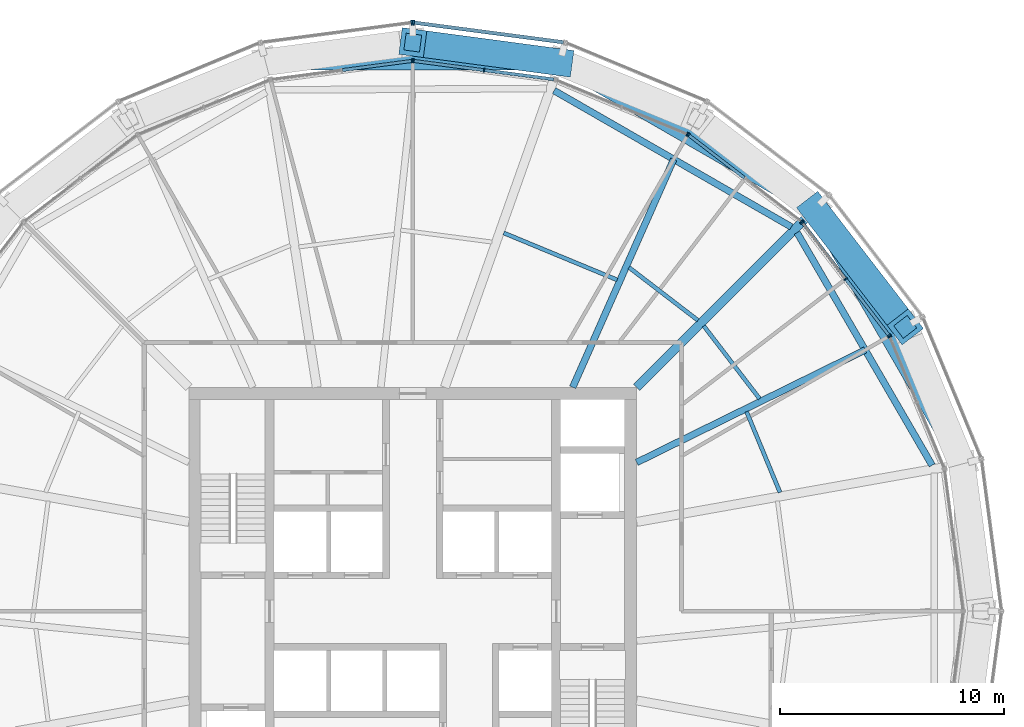
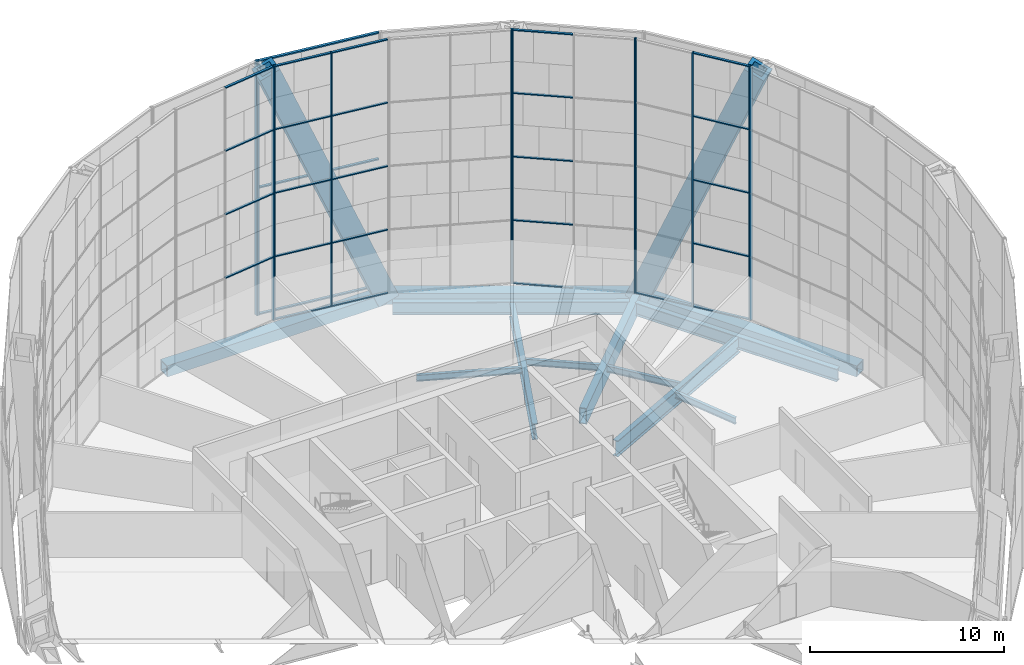
# One storey, part 10 of 30: 42 members, 12 beams, 8 elements without a shape of their own.
"""IFC4 building model written with IfcOpenShell, lengths in metres."""

from ifc_helpers import new_model, si_unit, direction, frame, origin, origin_2d, place, context, subcontext, project, spatial, rectangle, hollow_rectangle, i_section, extrude, material, material_profile, profile_set, type_object, element, aggregate, save


model = new_model("IFC4")

# Units and contexts
model_context = context("Model", 3, precision=1e-05, world=origin(), true_north=direction((0.0, 1.0)))
body_context = subcontext(model_context, "Body", "Model", "MODEL_VIEW")
ifc_project = project(units=[si_unit("LENGTHUNIT", "METRE"), si_unit("AREAUNIT", "SQUARE_METRE"), si_unit("VOLUMEUNIT", "CUBIC_METRE"), si_unit("PLANEANGLEUNIT", "RADIAN"), si_unit("MASSUNIT", "GRAM", prefix="KILO")], contexts=[model_context])

# Site, building, storey
site_placement = place(None, origin())
site = spatial("IfcSite", under=ifc_project, at=site_placement, CompositionType="ELEMENT")
building_placement = place(site_placement, origin())
building = spatial("IfcBuilding", under=site, at=building_placement, Name="Golbaran Civic Tower", CompositionType="ELEMENT")
storey_placement = place(building_placement, frame((0.0, 0.0, 102.0)))
storey = spatial("IfcBuildingStorey", under=building, at=storey_placement, Name="L24", CompositionType="ELEMENT", Elevation=102.0)

# Members
ifc_material_1 = material(Name="Steel S355", Category="steel")
ifc_material_profile_1 = material_profile(ifc_material_1, hollow_rectangle(XDim=1.199951171875, YDim=1.199951171875, WallThickness=0.219970703125, at=origin_2d()), Name="BOX 1200x1200x220")
ifc_profile_set_1 = profile_set([ifc_material_profile_1], Name="Steel S355")
member_type_1 = type_object("IfcMemberType", Name="DIAGRID DIAGONAL BOX 1200x1200x220", PredefinedType="BRACE", material=ifc_profile_set_1)
member_1_placement = place(storey_placement, frame((17.947021484375, 17.947021484375, -0.7099609375), z_axis=(0.233507991668, -0.303176942092, 0.923881897003), x_axis=(0.792251346595, 0.61019489003, 0.0)))
element("IfcMember", 1, at=member_1_placement, inside=storey, type_object=member_type_1, Name="Diagonal D05-01L L24-L28", PredefinedType="BRACE", context=body_context, shape_type="SweptSolid", body=[
    extrude(hollow_rectangle(XDim=1.199951171875, YDim=1.199951171875, WallThickness=0.219970703125, at=origin_2d()), origin(), (0.0, 0.0, 1.0), 17.318115234375),
])
member_2_placement = place(storey_placement, frame((6.569091796875, 24.51611328125, -0.7099609375), z_axis=(-0.379315997273, 0.050637494414, 0.923880521697), x_axis=(-0.132322975426, -0.991206653617, 0.0)))
element("IfcMember", 2, at=member_2_placement, inside=storey, type_object=member_type_1, Name="Diagonal D05-02R L24-L28", PredefinedType="BRACE", context=body_context, shape_type="SweptSolid", body=[
    extrude(hollow_rectangle(XDim=1.199951171875, YDim=1.199951171875, WallThickness=0.219970703125, at=origin_2d()), origin(), (0.0, 0.0, 1.0), 17.318359375),
])

# Beams
ifc_material_profile_2 = material_profile(ifc_material_1, hollow_rectangle(XDim=0.699951171875, YDim=0.699951171875, WallThickness=0.080078125, at=origin_2d()), Name="BOX 700x700x80")
ifc_profile_set_2 = profile_set([ifc_material_profile_2], Name="Steel S355")
beam_type_1 = type_object("IfcBeamType", Name="DIAGRID RING TIE BOX 700x700x80", PredefinedType="BEAM", material=ifc_profile_set_2)
for number, where, z_axis, x_axis, name in (
    (3, (24.51611328125, 6.569091796875, -0.7099609375), (-0.500002342169, 0.866024051528, 0.0), (-0.866024051528, -0.500002342169, 0.0), "Ring tie 15.00 L24"),
    (4, (17.947021484375, 17.947021484375, -0.7099609375), (-0.866024051528, 0.500002342169, 0.0), (-0.500002342169, -0.866024051528, 0.0), "Ring tie 45.00 L24"),
    (5, (6.569091796875, 24.51611328125, -0.7099609375), (-1.0, 0.0, 0.0), (0.0, -1.0, 0.0), "Ring tie 75.00 L24"),
):
    element("IfcBeam", number, at=place(storey_placement, frame(where, z_axis=z_axis, x_axis=x_axis)), inside=storey, type_object=beam_type_1, Name=name, PredefinedType="BEAM", context=body_context, shape_type="SweptSolid", body=[
        extrude(hollow_rectangle(XDim=0.699951171875, YDim=0.699951171875, WallThickness=0.080078125, at=origin_2d()), origin(), (0.0, 0.0, 1.0), 13.13818359375),
    ])
ifc_material_profile_3 = material_profile(ifc_material_1, i_section(OverallWidth=0.300048828125, OverallDepth=0.800048828125, WebThickness=0.017578125, FlangeThickness=0.032958984375, FilletRadius=0.030029296875, at=origin_2d()), Name="HEB 800")
ifc_profile_set_3 = profile_set([ifc_material_profile_3], Name="Steel S355")
beam_type_2 = type_object("IfcBeamType", Name="EDGE BEAM HEB 800", PredefinedType="BEAM", material=ifc_profile_set_3)
beam_1_placement = place(storey_placement, frame((23.191162109375, 6.51611328125, -0.60009765625), z_axis=(-0.50190998271, 0.86491986291, 0.0), x_axis=(-0.86491986291, -0.50190998271, 0.0)))
element("IfcBeam", 6, at=beam_1_placement, inside=storey, type_object=beam_type_2, Name="Edge beam 15.00 L24", PredefinedType="BEAM", context=body_context, shape_type="SweptSolid", body=[
    extrude(i_section(OverallWidth=0.300048828125, OverallDepth=0.800048828125, WebThickness=0.017578125, FlangeThickness=0.032958984375, FilletRadius=0.030029296875, at=origin_2d()), origin(), (0.0, 0.0, 1.0), 12.013671875),
])
beam_2_placement = place(storey_placement, frame((16.90625, 17.160888671875, -0.60009765625), z_axis=(-0.867038150576, 0.498241754017, 0.0), x_axis=(-0.498241754017, -0.867038150576, 0.0)))
element("IfcBeam", 7, at=beam_2_placement, inside=storey, type_object=beam_type_2, Name="Edge beam 45.00 L24", PredefinedType="BEAM", context=body_context, shape_type="SweptSolid", body=[
    extrude(i_section(OverallWidth=0.300048828125, OverallDepth=0.800048828125, WebThickness=0.017578125, FlangeThickness=0.032958984375, FilletRadius=0.030029296875, at=origin_2d()), origin(), (0.0, 0.0, 1.0), 12.2197265625),
])
ifc_material_profile_4 = material_profile(ifc_material_1, i_section(OverallWidth=0.179931640625, OverallDepth=0.39990234375, WebThickness=0.008544921875, FlangeThickness=0.013427734375, FilletRadius=0.02099609375, at=origin_2d()), Name="IPE 400")
ifc_profile_set_4 = profile_set([ifc_material_profile_4], Name="Steel S355")
beam_type_3 = type_object("IfcBeamType", Name="FLOOR INFILL BEAM IPE 400", PredefinedType="BEAM", material=ifc_profile_set_4)
beam_3_placement = place(storey_placement, frame((16.39794921875, 5.30712890625, -0.39990234375), z_axis=(-0.382690736062, 0.923876507187, 0.0), x_axis=(-0.923876507187, -0.382690736062, 0.0)))
element("IfcBeam", 8, at=beam_3_placement, inside=storey, type_object=beam_type_3, Name="Infill beam 22.50 L24", PredefinedType="BEAM", context=body_context, shape_type="SweptSolid", body=[
    extrude(i_section(OverallWidth=0.179931640625, OverallDepth=0.39990234375, WebThickness=0.008544921875, FlangeThickness=0.013427734375, FilletRadius=0.02099609375, at=origin_2d()), origin(), (0.0, 0.0, 1.0), 3.90185546875),
])
beam_4_placement = place(storey_placement, frame((15.48828125, 9.48876953125, -0.39990234375), z_axis=(-0.608762972418, 0.793352155989, 0.0), x_axis=(-0.793352155989, -0.608762972418, 0.0)))
element("IfcBeam", 9, at=beam_4_placement, inside=storey, type_object=beam_type_3, Name="Infill beam 37.50 L24", PredefinedType="BEAM", context=body_context, shape_type="SweptSolid", body=[
    extrude(i_section(OverallWidth=0.179931640625, OverallDepth=0.39990234375, WebThickness=0.008544921875, FlangeThickness=0.013427734375, FilletRadius=0.02099609375, at=origin_2d()), origin(), (0.0, 0.0, 1.0), 4.097412109375),
])
beam_5_placement = place(storey_placement, frame((12.734619140625, 12.9892578125, -0.39990234375), z_axis=(-0.79336231097, 0.608749738014, 0.0), x_axis=(-0.608749738014, -0.79336231097, 0.0)))
element("IfcBeam", 10, at=beam_5_placement, inside=storey, type_object=beam_type_3, Name="Infill beam 52.50 L24", PredefinedType="BEAM", context=body_context, shape_type="SweptSolid", body=[
    extrude(i_section(OverallWidth=0.179931640625, OverallDepth=0.39990234375, WebThickness=0.008544921875, FlangeThickness=0.013427734375, FilletRadius=0.02099609375, at=origin_2d()), origin(), (0.0, 0.0, 1.0), 3.88134765625),
])
beam_6_placement = place(storey_placement, frame((9.124267578125, 14.795166015625, -0.39990234375), z_axis=(-0.923889259897, 0.382659947535, 0.0), x_axis=(-0.382659947535, -0.923889259897, 0.0)))
element("IfcBeam", 11, at=beam_6_placement, inside=storey, type_object=beam_type_3, Name="Infill beam 67.50 L24", PredefinedType="BEAM", context=body_context, shape_type="SweptSolid", body=[
    extrude(i_section(OverallWidth=0.179931640625, OverallDepth=0.39990234375, WebThickness=0.008544921875, FlangeThickness=0.013427734375, FilletRadius=0.02099609375, at=origin_2d()), origin(), (0.0, 0.0, 1.0), 5.481201171875),
])

# Curtain wall, member
ifc_material_2 = material(Name="Aluminium and glass", Category="aluminium")
curtain_wall_type_1 = type_object("IfcCurtainWallType", Name="INNER SKIN CURTAIN WALL", PredefinedType="NOTDEFINED", material=ifc_material_2)
curtain_wall_1_placement = place(storey_placement, origin())
curtain_wall_1 = element("IfcCurtainWall", 12, at=curtain_wall_1_placement, inside=storey, type_object=curtain_wall_type_1, Name="Inner skin L24 facet 2 CW1", ObjectType="INNER SKIN", PredefinedType="USERDEFINED")
ifc_material_3 = material(Name="Aluminium", Category="aluminium")
ifc_material_profile_5 = material_profile(ifc_material_3, rectangle(XDim=0.179931640625, YDim=0.06494140625, at=origin_2d()), Name="INNER SKIN CURTAIN WALL MULLION")
ifc_profile_set_5 = profile_set([ifc_material_profile_5], Name="Aluminium")
member_type_2 = type_object("IfcMemberType", Name="INNER SKIN CURTAIN WALL MULLION", PredefinedType="MULLION", material=ifc_profile_set_5)
member_3_placement = place(storey_placement, frame((21.297607421875, 12.259033203125, 0.0), z_axis=(0.0, 0.0, 1.0), x_axis=(-0.923879532465, -0.382683432478, 0.0)))
member_3 = element("IfcMember", 13, at=member_3_placement, type_object=member_type_2, Name="CW1 mullion 3", PredefinedType="MULLION", context=body_context, shape_type="SweptSolid", body=[
    extrude(rectangle(XDim=0.179931640625, YDim=0.06494140625, at=origin_2d()), origin(), (0.0, 0.0, 1.0), 16.0),
])
aggregate(curtain_wall_1, [member_3])

# Curtain wall, members
curtain_wall_2_placement = place(storey_placement, origin())
curtain_wall_2 = element("IfcCurtainWall", 14, at=curtain_wall_2_placement, inside=storey, type_object=curtain_wall_type_1, Name="Inner skin L24 facet 3 CW1", ObjectType="INNER SKIN", PredefinedType="USERDEFINED")
member_4_placement = place(storey_placement, frame((21.265380859375, 12.314697265625, 0.0), z_axis=(0.0, 0.0, 1.0), x_axis=(-0.793353340302, -0.608761428995, 0.0)))
member_4 = element("IfcMember", 15, at=member_4_placement, type_object=member_type_2, Name="CW1 mullion 1", PredefinedType="MULLION", context=body_context, shape_type="SweptSolid", body=[
    extrude(rectangle(XDim=0.179931640625, YDim=0.06494140625, at=origin_2d()), origin(), (0.0, 0.0, 1.0), 16.0),
])
member_5_placement = place(storey_placement, frame((19.332275390625, 14.834228515625, 0.0), z_axis=(0.0, 0.0, 1.0), x_axis=(-0.793353340302, -0.608761428995, 0.0)))
member_5 = element("IfcMember", 16, at=member_5_placement, type_object=member_type_2, Name="CW1 mullion 2", PredefinedType="MULLION", context=body_context, shape_type="SweptSolid", body=[
    extrude(rectangle(XDim=0.179931640625, YDim=0.06494140625, at=origin_2d()), origin(), (0.0, 0.0, 1.0), 16.0),
])
member_6_placement = place(storey_placement, frame((17.399169921875, 17.353515625, 0.0), z_axis=(0.0, 0.0, 1.0), x_axis=(-0.793353340302, -0.608761428995, 0.0)))
member_6 = element("IfcMember", 17, at=member_6_placement, type_object=member_type_2, Name="CW1 mullion 3", PredefinedType="MULLION", context=body_context, shape_type="SweptSolid", body=[
    extrude(rectangle(XDim=0.179931640625, YDim=0.06494140625, at=origin_2d()), origin(), (0.0, 0.0, 1.0), 16.0),
])

curtain_wall_3_placement = place(storey_placement, origin())
curtain_wall_3 = element("IfcCurtainWall", 18, at=curtain_wall_3_placement, inside=storey, type_object=curtain_wall_type_1, Name="Inner skin L24 facet 4 CW1", ObjectType="INNER SKIN", PredefinedType="USERDEFINED")
member_7_placement = place(storey_placement, frame((17.353515625, 17.399169921875, 0.0), z_axis=(0.0, 0.0, 1.0), x_axis=(-0.608761428995, -0.793353340302, 0.0)))
member_7 = element("IfcMember", 19, at=member_7_placement, type_object=member_type_2, Name="CW1 mullion 1", PredefinedType="MULLION", context=body_context, shape_type="SweptSolid", body=[
    extrude(rectangle(XDim=0.179931640625, YDim=0.06494140625, at=origin_2d()), origin(), (0.0, 0.0, 1.0), 16.0),
])
member_8_placement = place(storey_placement, frame((12.314697265625, 21.265380859375, 0.0), z_axis=(0.0, 0.0, 1.0), x_axis=(-0.608761428995, -0.793353340302, 0.0)))
member_8 = element("IfcMember", 20, at=member_8_placement, type_object=member_type_2, Name="CW1 mullion 3", PredefinedType="MULLION", context=body_context, shape_type="SweptSolid", body=[
    extrude(rectangle(XDim=0.179931640625, YDim=0.06494140625, at=origin_2d()), origin(), (0.0, 0.0, 1.0), 16.0),
])

# Curtain wall, member
curtain_wall_4_placement = place(storey_placement, origin())
curtain_wall_4 = element("IfcCurtainWall", 21, at=curtain_wall_4_placement, inside=storey, type_object=curtain_wall_type_1, Name="Inner skin L24 facet 5 CW1", ObjectType="INNER SKIN", PredefinedType="USERDEFINED")
member_9_placement = place(storey_placement, frame((12.259033203125, 21.297607421875, 0.0), z_axis=(0.0, 0.0, 1.0), x_axis=(-0.382683432478, -0.923879532465, 0.0)))
member_9 = element("IfcMember", 22, at=member_9_placement, type_object=member_type_2, Name="CW1 mullion 1", PredefinedType="MULLION", context=body_context, shape_type="SweptSolid", body=[
    extrude(rectangle(XDim=0.179931640625, YDim=0.06494140625, at=origin_2d()), origin(), (0.0, 0.0, 1.0), 16.0),
])
aggregate(curtain_wall_4, [member_9])

# Curtain wall, members
curtain_wall_5_placement = place(storey_placement, origin())
curtain_wall_5 = element("IfcCurtainWall", 23, at=curtain_wall_5_placement, inside=storey, type_object=curtain_wall_type_1, Name="Inner skin L24 facet 6 CW1", ObjectType="INNER SKIN", PredefinedType="USERDEFINED")
member_10_placement = place(storey_placement, frame((3.1806640625, 24.1591796875, 0.0), z_axis=(0.0, 0.0, 1.0), x_axis=(-0.130526192134, -0.991444861385, 0.0)))
member_10 = element("IfcMember", 24, at=member_10_placement, type_object=member_type_2, Name="CW1 mullion 2", PredefinedType="MULLION", context=body_context, shape_type="SweptSolid", body=[
    extrude(rectangle(XDim=0.179931640625, YDim=0.06494140625, at=origin_2d()), origin(), (0.0, 0.0, 1.0), 16.0),
])
member_11_placement = place(storey_placement, frame((0.0322265625, 24.57373046875, 0.0), z_axis=(0.0, 0.0, 1.0), x_axis=(-0.130526192134, -0.991444861385, 0.0)))
member_11 = element("IfcMember", 25, at=member_11_placement, type_object=member_type_2, Name="CW1 mullion 3", PredefinedType="MULLION", context=body_context, shape_type="SweptSolid", body=[
    extrude(rectangle(XDim=0.179931640625, YDim=0.06494140625, at=origin_2d()), origin(), (0.0, 0.0, 1.0), 16.0),
])

# Curtain wall, member
curtain_wall_6_placement = place(storey_placement, origin())
curtain_wall_6 = element("IfcCurtainWall", 26, at=curtain_wall_6_placement, inside=storey, type_object=curtain_wall_type_1, Name="Inner skin L24 facet 7 CW1", ObjectType="INNER SKIN", PredefinedType="USERDEFINED")
member_12_placement = place(storey_placement, frame((-0.0322265625, 24.57373046875, 0.0), z_axis=(0.0, 0.0, 1.0), x_axis=(0.130526192134, -0.991444861385, 0.0)))
member_12 = element("IfcMember", 27, at=member_12_placement, type_object=member_type_2, Name="CW1 mullion 1", PredefinedType="MULLION", context=body_context, shape_type="SweptSolid", body=[
    extrude(rectangle(XDim=0.179931640625, YDim=0.06494140625, at=origin_2d()), origin(), (0.0, 0.0, 1.0), 16.0),
])

# Member
ifc_material_profile_6 = material_profile(ifc_material_3, rectangle(XDim=0.139892578125, YDim=0.06494140625, at=origin_2d()), Name="INNER SKIN CURTAIN WALL TRANSOM")
ifc_profile_set_6 = profile_set([ifc_material_profile_6], Name="Aluminium")
member_type_3 = type_object("IfcMemberType", Name="INNER SKIN CURTAIN WALL TRANSOM", PredefinedType="USERDEFINED", material=ifc_profile_set_6)
member_13_placement = place(storey_placement, frame((21.24560546875, 12.340576171875, 0.032470703125), z_axis=(-0.608754453805, 0.793358692504, 0.0), x_axis=(-0.793358692504, -0.608754453805, 0.0)))
member_13 = element("IfcMember", 28, at=member_13_placement, type_object=member_type_3, Name="CW1 transom 1.1", ObjectType="TRANSOM", PredefinedType="USERDEFINED", context=body_context, shape_type="SweptSolid", body=[
    extrude(rectangle(XDim=0.139892578125, YDim=0.06494140625, at=origin_2d()), origin(), (0.0, 0.0, 1.0), 3.110595703125),
])

member_14_placement = place(storey_placement, frame((21.24560546875, 12.340576171875, 4.0), z_axis=(-0.608754453805, 0.793358692504, 0.0), x_axis=(-0.793358692504, -0.608754453805, 0.0)))
member_14 = element("IfcMember", 29, at=member_14_placement, type_object=member_type_3, Name="CW1 transom 1.2", ObjectType="TRANSOM", PredefinedType="USERDEFINED", context=body_context, shape_type="SweptSolid", body=[
    extrude(rectangle(XDim=0.139892578125, YDim=0.06494140625, at=origin_2d()), origin(), (0.0, 0.0, 1.0), 3.110595703125),
])

member_15_placement = place(storey_placement, frame((21.24560546875, 12.340576171875, 8.0), z_axis=(-0.608754453805, 0.793358692504, 0.0), x_axis=(-0.793358692504, -0.608754453805, 0.0)))
member_15 = element("IfcMember", 30, at=member_15_placement, type_object=member_type_3, Name="CW1 transom 1.3", ObjectType="TRANSOM", PredefinedType="USERDEFINED", context=body_context, shape_type="SweptSolid", body=[
    extrude(rectangle(XDim=0.139892578125, YDim=0.06494140625, at=origin_2d()), origin(), (0.0, 0.0, 1.0), 3.110595703125),
])

member_16_placement = place(storey_placement, frame((21.24560546875, 12.340576171875, 12.0), z_axis=(-0.608754453805, 0.793358692504, 0.0), x_axis=(-0.793358692504, -0.608754453805, 0.0)))
member_16 = element("IfcMember", 31, at=member_16_placement, type_object=member_type_3, Name="CW1 transom 1.4", ObjectType="TRANSOM", PredefinedType="USERDEFINED", context=body_context, shape_type="SweptSolid", body=[
    extrude(rectangle(XDim=0.139892578125, YDim=0.06494140625, at=origin_2d()), origin(), (0.0, 0.0, 1.0), 3.110595703125),
])

member_17_placement = place(storey_placement, frame((21.24560546875, 12.340576171875, 15.967529296875), z_axis=(-0.608754453805, 0.793358692504, 0.0), x_axis=(-0.793358692504, -0.608754453805, 0.0)))
member_17 = element("IfcMember", 32, at=member_17_placement, type_object=member_type_3, Name="CW1 transom 1.5", ObjectType="TRANSOM", PredefinedType="USERDEFINED", context=body_context, shape_type="SweptSolid", body=[
    extrude(rectangle(XDim=0.139892578125, YDim=0.06494140625, at=origin_2d()), origin(), (0.0, 0.0, 1.0), 3.110595703125),
])

member_18_placement = place(storey_placement, frame((19.3125, 14.85986328125, 0.032470703125), z_axis=(-0.608754453805, 0.793358692504, 0.0), x_axis=(-0.793358692504, -0.608754453805, 0.0)))
member_18 = element("IfcMember", 33, at=member_18_placement, type_object=member_type_3, Name="CW1 transom 2.1", ObjectType="TRANSOM", PredefinedType="USERDEFINED", context=body_context, shape_type="SweptSolid", body=[
    extrude(rectangle(XDim=0.139892578125, YDim=0.06494140625, at=origin_2d()), origin(), (0.0, 0.0, 1.0), 3.110595703125),
])

aggregate(curtain_wall_2, [member_4, member_5, member_6, member_13, member_14, member_15, member_16, member_17, member_18])

member_19_placement = place(storey_placement, frame((14.808349609375, 19.35205078125, 0.032470703125), z_axis=(-0.793358692504, 0.608754453805, 0.0), x_axis=(-0.608754453805, -0.793358692504, 0.0)))
member_19 = element("IfcMember", 34, at=member_19_placement, type_object=member_type_3, Name="CW1 transom 2.1", ObjectType="TRANSOM", PredefinedType="USERDEFINED", context=body_context, shape_type="SweptSolid", body=[
    extrude(rectangle(XDim=0.139892578125, YDim=0.06494140625, at=origin_2d()), origin(), (0.0, 0.0, 1.0), 3.110595703125),
])

member_20_placement = place(storey_placement, frame((14.808349609375, 19.35205078125, 4.0), z_axis=(-0.793358692504, 0.608754453805, 0.0), x_axis=(-0.608754453805, -0.793358692504, 0.0)))
member_20 = element("IfcMember", 35, at=member_20_placement, type_object=member_type_3, Name="CW1 transom 2.2", ObjectType="TRANSOM", PredefinedType="USERDEFINED", context=body_context, shape_type="SweptSolid", body=[
    extrude(rectangle(XDim=0.139892578125, YDim=0.06494140625, at=origin_2d()), origin(), (0.0, 0.0, 1.0), 3.110595703125),
])

member_21_placement = place(storey_placement, frame((14.808349609375, 19.35205078125, 8.0), z_axis=(-0.793358692504, 0.608754453805, 0.0), x_axis=(-0.608754453805, -0.793358692504, 0.0)))
member_21 = element("IfcMember", 36, at=member_21_placement, type_object=member_type_3, Name="CW1 transom 2.3", ObjectType="TRANSOM", PredefinedType="USERDEFINED", context=body_context, shape_type="SweptSolid", body=[
    extrude(rectangle(XDim=0.139892578125, YDim=0.06494140625, at=origin_2d()), origin(), (0.0, 0.0, 1.0), 3.110595703125),
])

member_22_placement = place(storey_placement, frame((14.808349609375, 19.35205078125, 12.0), z_axis=(-0.793358692504, 0.608754453805, 0.0), x_axis=(-0.608754453805, -0.793358692504, 0.0)))
member_22 = element("IfcMember", 37, at=member_22_placement, type_object=member_type_3, Name="CW1 transom 2.4", ObjectType="TRANSOM", PredefinedType="USERDEFINED", context=body_context, shape_type="SweptSolid", body=[
    extrude(rectangle(XDim=0.139892578125, YDim=0.06494140625, at=origin_2d()), origin(), (0.0, 0.0, 1.0), 3.110595703125),
])

member_23_placement = place(storey_placement, frame((14.808349609375, 19.35205078125, 15.967529296875), z_axis=(-0.793358692504, 0.608754453805, 0.0), x_axis=(-0.608754453805, -0.793358692504, 0.0)))
member_23 = element("IfcMember", 38, at=member_23_placement, type_object=member_type_3, Name="CW1 transom 2.5", ObjectType="TRANSOM", PredefinedType="USERDEFINED", context=body_context, shape_type="SweptSolid", body=[
    extrude(rectangle(XDim=0.139892578125, YDim=0.06494140625, at=origin_2d()), origin(), (0.0, 0.0, 1.0), 3.110595703125),
])

aggregate(curtain_wall_3, [member_7, member_8, member_19, member_20, member_21, member_22, member_23])

member_24_placement = place(storey_placement, frame((6.296875, 23.7490234375, 0.032470703125), z_axis=(-0.991445210256, 0.130523542167, 0.0), x_axis=(-0.130523542167, -0.991445210256, 0.0)))
member_24 = element("IfcMember", 39, at=member_24_placement, type_object=member_type_3, Name="CW1 transom 1.1", ObjectType="TRANSOM", PredefinedType="USERDEFINED", context=body_context, shape_type="SweptSolid", body=[
    extrude(rectangle(XDim=0.139892578125, YDim=0.06494140625, at=origin_2d()), origin(), (0.0, 0.0, 1.0), 3.110595703125),
])

member_25_placement = place(storey_placement, frame((6.296875, 23.7490234375, 4.0), z_axis=(-0.991445210256, 0.130523542167, 0.0), x_axis=(-0.130523542167, -0.991445210256, 0.0)))
member_25 = element("IfcMember", 40, at=member_25_placement, type_object=member_type_3, Name="CW1 transom 1.2", ObjectType="TRANSOM", PredefinedType="USERDEFINED", context=body_context, shape_type="SweptSolid", body=[
    extrude(rectangle(XDim=0.139892578125, YDim=0.06494140625, at=origin_2d()), origin(), (0.0, 0.0, 1.0), 3.110595703125),
])

member_26_placement = place(storey_placement, frame((6.296875, 23.7490234375, 8.0), z_axis=(-0.991445210256, 0.130523542167, 0.0), x_axis=(-0.130523542167, -0.991445210256, 0.0)))
member_26 = element("IfcMember", 41, at=member_26_placement, type_object=member_type_3, Name="CW1 transom 1.3", ObjectType="TRANSOM", PredefinedType="USERDEFINED", context=body_context, shape_type="SweptSolid", body=[
    extrude(rectangle(XDim=0.139892578125, YDim=0.06494140625, at=origin_2d()), origin(), (0.0, 0.0, 1.0), 3.110595703125),
])

member_27_placement = place(storey_placement, frame((6.296875, 23.7490234375, 12.0), z_axis=(-0.991445210256, 0.130523542167, 0.0), x_axis=(-0.130523542167, -0.991445210256, 0.0)))
member_27 = element("IfcMember", 42, at=member_27_placement, type_object=member_type_3, Name="CW1 transom 1.4", ObjectType="TRANSOM", PredefinedType="USERDEFINED", context=body_context, shape_type="SweptSolid", body=[
    extrude(rectangle(XDim=0.139892578125, YDim=0.06494140625, at=origin_2d()), origin(), (0.0, 0.0, 1.0), 3.110595703125),
])

member_28_placement = place(storey_placement, frame((6.296875, 23.7490234375, 15.967529296875), z_axis=(-0.991445210256, 0.130523542167, 0.0), x_axis=(-0.130523542167, -0.991445210256, 0.0)))
member_28 = element("IfcMember", 43, at=member_28_placement, type_object=member_type_3, Name="CW1 transom 1.5", ObjectType="TRANSOM", PredefinedType="USERDEFINED", context=body_context, shape_type="SweptSolid", body=[
    extrude(rectangle(XDim=0.139892578125, YDim=0.06494140625, at=origin_2d()), origin(), (0.0, 0.0, 1.0), 3.110595703125),
])

member_29_placement = place(storey_placement, frame((3.1484375, 24.16357421875, 0.032470703125), z_axis=(-0.991445210256, 0.130523542167, 0.0), x_axis=(-0.130523542167, -0.991445210256, 0.0)))
member_29 = element("IfcMember", 44, at=member_29_placement, type_object=member_type_3, Name="CW1 transom 2.1", ObjectType="TRANSOM", PredefinedType="USERDEFINED", context=body_context, shape_type="SweptSolid", body=[
    extrude(rectangle(XDim=0.139892578125, YDim=0.06494140625, at=origin_2d()), origin(), (0.0, 0.0, 1.0), 3.110595703125),
])

member_30_placement = place(storey_placement, frame((3.1484375, 24.16357421875, 4.0), z_axis=(-0.991445210256, 0.130523542167, 0.0), x_axis=(-0.130523542167, -0.991445210256, 0.0)))
member_30 = element("IfcMember", 45, at=member_30_placement, type_object=member_type_3, Name="CW1 transom 2.2", ObjectType="TRANSOM", PredefinedType="USERDEFINED", context=body_context, shape_type="SweptSolid", body=[
    extrude(rectangle(XDim=0.139892578125, YDim=0.06494140625, at=origin_2d()), origin(), (0.0, 0.0, 1.0), 3.110595703125),
])

member_31_placement = place(storey_placement, frame((3.1484375, 24.16357421875, 8.0), z_axis=(-0.991445210256, 0.130523542167, 0.0), x_axis=(-0.130523542167, -0.991445210256, 0.0)))
member_31 = element("IfcMember", 46, at=member_31_placement, type_object=member_type_3, Name="CW1 transom 2.3", ObjectType="TRANSOM", PredefinedType="USERDEFINED", context=body_context, shape_type="SweptSolid", body=[
    extrude(rectangle(XDim=0.139892578125, YDim=0.06494140625, at=origin_2d()), origin(), (0.0, 0.0, 1.0), 3.110595703125),
])

member_32_placement = place(storey_placement, frame((3.1484375, 24.16357421875, 12.0), z_axis=(-0.991445210256, 0.130523542167, 0.0), x_axis=(-0.130523542167, -0.991445210256, 0.0)))
member_32 = element("IfcMember", 47, at=member_32_placement, type_object=member_type_3, Name="CW1 transom 2.4", ObjectType="TRANSOM", PredefinedType="USERDEFINED", context=body_context, shape_type="SweptSolid", body=[
    extrude(rectangle(XDim=0.139892578125, YDim=0.06494140625, at=origin_2d()), origin(), (0.0, 0.0, 1.0), 3.110595703125),
])

member_33_placement = place(storey_placement, frame((3.1484375, 24.16357421875, 15.967529296875), z_axis=(-0.991445210256, 0.130523542167, 0.0), x_axis=(-0.130523542167, -0.991445210256, 0.0)))
member_33 = element("IfcMember", 48, at=member_33_placement, type_object=member_type_3, Name="CW1 transom 2.5", ObjectType="TRANSOM", PredefinedType="USERDEFINED", context=body_context, shape_type="SweptSolid", body=[
    extrude(rectangle(XDim=0.139892578125, YDim=0.06494140625, at=origin_2d()), origin(), (0.0, 0.0, 1.0), 3.110595703125),
])

aggregate(curtain_wall_5, [member_10, member_11, member_24, member_25, member_26, member_27, member_28, member_29, member_30, member_31, member_32, member_33])

member_34_placement = place(storey_placement, frame((-0.064453125, 24.569580078125, 4.0), z_axis=(-0.991445210256, -0.130523542167, 0.0), x_axis=(0.130523542167, -0.991445210256, 0.0)))
member_34 = element("IfcMember", 49, at=member_34_placement, type_object=member_type_3, Name="CW1 transom 1.2", ObjectType="TRANSOM", PredefinedType="USERDEFINED", context=body_context, shape_type="SweptSolid", body=[
    extrude(rectangle(XDim=0.139892578125, YDim=0.06494140625, at=origin_2d()), origin(), (0.0, 0.0, 1.0), 3.110595703125),
])

member_35_placement = place(storey_placement, frame((-0.064453125, 24.569580078125, 8.0), z_axis=(-0.991445210256, -0.130523542167, 0.0), x_axis=(0.130523542167, -0.991445210256, 0.0)))
member_35 = element("IfcMember", 50, at=member_35_placement, type_object=member_type_3, Name="CW1 transom 1.3", ObjectType="TRANSOM", PredefinedType="USERDEFINED", context=body_context, shape_type="SweptSolid", body=[
    extrude(rectangle(XDim=0.139892578125, YDim=0.06494140625, at=origin_2d()), origin(), (0.0, 0.0, 1.0), 3.110595703125),
])

member_36_placement = place(storey_placement, frame((-0.064453125, 24.569580078125, 12.0), z_axis=(-0.991445210256, -0.130523542167, 0.0), x_axis=(0.130523542167, -0.991445210256, 0.0)))
member_36 = element("IfcMember", 51, at=member_36_placement, type_object=member_type_3, Name="CW1 transom 1.4", ObjectType="TRANSOM", PredefinedType="USERDEFINED", context=body_context, shape_type="SweptSolid", body=[
    extrude(rectangle(XDim=0.139892578125, YDim=0.06494140625, at=origin_2d()), origin(), (0.0, 0.0, 1.0), 3.110595703125),
])

member_37_placement = place(storey_placement, frame((-0.064453125, 24.569580078125, 15.967529296875), z_axis=(-0.991445210256, -0.130523542167, 0.0), x_axis=(0.130523542167, -0.991445210256, 0.0)))
member_37 = element("IfcMember", 52, at=member_37_placement, type_object=member_type_3, Name="CW1 transom 1.5", ObjectType="TRANSOM", PredefinedType="USERDEFINED", context=body_context, shape_type="SweptSolid", body=[
    extrude(rectangle(XDim=0.139892578125, YDim=0.06494140625, at=origin_2d()), origin(), (0.0, 0.0, 1.0), 3.110595703125),
])

aggregate(curtain_wall_6, [member_12, member_34, member_35, member_36, member_37])

# Curtain wall, member
curtain_wall_type_2 = type_object("IfcCurtainWallType", Name="OUTER SKIN TERRACOTTA SCREEN", PredefinedType="NOTDEFINED", material=ifc_material_2)
curtain_wall_7_placement = place(storey_placement, origin())
curtain_wall_7 = element("IfcCurtainWall", 53, at=curtain_wall_7_placement, inside=storey, type_object=curtain_wall_type_2, Name="Outer skin L24 facet 6 CW3", ObjectType="OUTER SKIN", PredefinedType="USERDEFINED")
ifc_material_profile_7 = material_profile(ifc_material_3, rectangle(XDim=0.219970703125, YDim=0.080078125, at=origin_2d()), Name="OUTER SKIN TERRACOTTA SCREEN MULLION")
ifc_profile_set_7 = profile_set([ifc_material_profile_7], Name="Aluminium")
member_type_4 = type_object("IfcMemberType", Name="OUTER SKIN TERRACOTTA SCREEN MULLION", PredefinedType="MULLION", material=ifc_profile_set_7)
member_38_placement = place(storey_placement, frame((0.03955078125, 26.287841796875, -0.7099609375), z_axis=(0.0, 0.0, 1.0), x_axis=(-0.130526192168, -0.991444861381, 0.0)))
member_38 = element("IfcMember", 54, at=member_38_placement, type_object=member_type_4, Name="CW3 mullion 2", PredefinedType="MULLION", context=body_context, shape_type="SweptSolid", body=[
    extrude(rectangle(XDim=0.219970703125, YDim=0.080078125, at=origin_2d()), origin(), (0.0, 0.0, 1.0), 16.0),
])

curtain_wall_8_placement = place(storey_placement, origin())
curtain_wall_8 = element("IfcCurtainWall", 55, at=curtain_wall_8_placement, inside=storey, type_object=curtain_wall_type_2, Name="Outer skin L24 facet 7 CW3", ObjectType="OUTER SKIN", PredefinedType="USERDEFINED")
member_39_placement = place(storey_placement, frame((-0.03955078125, 26.287841796875, -0.7099609375), z_axis=(0.0, 0.0, 1.0), x_axis=(0.130526192168, -0.991444861381, 0.0)))
member_39 = element("IfcMember", 56, at=member_39_placement, type_object=member_type_4, Name="CW3 mullion 1", PredefinedType="MULLION", context=body_context, shape_type="SweptSolid", body=[
    extrude(rectangle(XDim=0.219970703125, YDim=0.080078125, at=origin_2d()), origin(), (0.0, 0.0, 1.0), 16.0),
])
aggregate(curtain_wall_8, [member_39])

# Member
ifc_material_profile_8 = material_profile(ifc_material_3, rectangle(XDim=0.159912109375, YDim=0.080078125, at=origin_2d()), Name="OUTER SKIN TERRACOTTA SCREEN TRANSOM")
ifc_profile_set_8 = profile_set([ifc_material_profile_8], Name="Aluminium")
member_type_5 = type_object("IfcMemberType", Name="OUTER SKIN TERRACOTTA SCREEN TRANSOM", PredefinedType="USERDEFINED", material=ifc_profile_set_8)
member_40_placement = place(storey_placement, frame((6.725830078125, 25.407470703125, -0.669921875), z_axis=(-0.991445368442, 0.1305223406, 0.0), x_axis=(-0.1305223406, -0.991445368442, 0.0)))
member_40 = element("IfcMember", 57, at=member_40_placement, type_object=member_type_5, Name="CW3 transom 1.1", ObjectType="TRANSOM", PredefinedType="USERDEFINED", context=body_context, shape_type="SweptSolid", body=[
    extrude(rectangle(XDim=0.159912109375, YDim=0.080078125, at=origin_2d()), origin(), (0.0, 0.0, 1.0), 6.703857421875),
])

member_41_placement = place(storey_placement, frame((6.725830078125, 25.407470703125, 7.2900390625), z_axis=(-0.991445368442, 0.1305223406, 0.0), x_axis=(-0.1305223406, -0.991445368442, 0.0)))
member_41 = element("IfcMember", 58, at=member_41_placement, type_object=member_type_5, Name="CW3 transom 1.2", ObjectType="TRANSOM", PredefinedType="USERDEFINED", context=body_context, shape_type="SweptSolid", body=[
    extrude(rectangle(XDim=0.159912109375, YDim=0.080078125, at=origin_2d()), origin(), (0.0, 0.0, 1.0), 6.703857421875),
])

member_42_placement = place(storey_placement, frame((6.725830078125, 25.407470703125, 15.25), z_axis=(-0.991445368442, 0.1305223406, 0.0), x_axis=(-0.1305223406, -0.991445368442, 0.0)))
member_42 = element("IfcMember", 59, at=member_42_placement, type_object=member_type_5, Name="CW3 transom 1.3", ObjectType="TRANSOM", PredefinedType="USERDEFINED", context=body_context, shape_type="SweptSolid", body=[
    extrude(rectangle(XDim=0.159912109375, YDim=0.080078125, at=origin_2d()), origin(), (0.0, 0.0, 1.0), 6.703857421875),
])

aggregate(curtain_wall_7, [member_38, member_40, member_41, member_42])

# Beams
ifc_material_profile_9 = material_profile(ifc_material_1, hollow_rectangle(XDim=0.39990234375, YDim=1.0, WallThickness=0.0400390625, at=origin_2d()), Name="BOX 1000x400x40")
ifc_profile_set_9 = profile_set([ifc_material_profile_9], Name="Steel S355")
beam_type_4 = type_object("IfcBeamType", Name="RADIAL FLOOR BEAM BOX 1000x400x40", PredefinedType="BEAM", material=ifc_profile_set_9)
beam_7_placement = place(storey_placement, frame((10.0, 10.0, -0.7099609375), z_axis=(0.707106781187, 0.707106781187, 0.0), x_axis=(-0.707106781187, 0.707106781187, 0.0)))
element("IfcBeam", 60, at=beam_7_placement, inside=storey, type_object=beam_type_4, Name="Radial beam 45.00 L24", PredefinedType="BEAM", context=body_context, shape_type="SweptSolid", body=[
    extrude(hollow_rectangle(XDim=0.39990234375, YDim=1.0, WallThickness=0.0400390625, at=origin_2d()), origin(), (0.0, 0.0, 1.0), 10.580810546875),
])
ifc_material_profile_10 = material_profile(ifc_material_1, i_section(OverallWidth=0.300048828125, OverallDepth=1.0, WebThickness=0.01904296875, FlangeThickness=0.035888671875, FilletRadius=0.030029296875, at=origin_2d()), Name="HEB 1000")
ifc_profile_set_10 = profile_set([ifc_material_profile_10], Name="Steel S355")
beam_type_5 = type_object("IfcBeamType", Name="SECONDARY FLOOR BEAM HEB 1000", PredefinedType="BEAM", material=ifc_profile_set_10)
beam_8_placement = place(storey_placement, frame((10.0, 6.642822265625, -0.7099609375), z_axis=(0.897226029709, 0.441571570204, 0.0), x_axis=(-0.441571570204, 0.897226029709, 0.0)))
element("IfcBeam", 61, at=beam_8_placement, inside=storey, type_object=beam_type_5, Name="Secondary beam 30.00 L24", PredefinedType="BEAM", context=body_context, shape_type="SweptSolid", body=[
    extrude(i_section(OverallWidth=0.300048828125, OverallDepth=1.0, WebThickness=0.01904296875, FlangeThickness=0.035888671875, FilletRadius=0.030029296875, at=origin_2d()), origin(), (0.0, 0.0, 1.0), 11.372314453125),
])
beam_9_placement = place(storey_placement, frame((7.142822265625, 10.0, -0.7099609375), z_axis=(0.404923539466, 0.914350549399, 0.0), x_axis=(-0.914350549399, 0.404923539466, 0.0)))
element("IfcBeam", 62, at=beam_9_placement, inside=storey, type_object=beam_type_5, Name="Secondary beam 60.00 L24", PredefinedType="BEAM", context=body_context, shape_type="SweptSolid", body=[
    extrude(i_section(OverallWidth=0.300048828125, OverallDepth=1.0, WebThickness=0.01904296875, FlangeThickness=0.035888671875, FilletRadius=0.030029296875, at=origin_2d()), origin(), (0.0, 0.0, 1.0), 11.13427734375),
])

save(model, "model.ifc")
